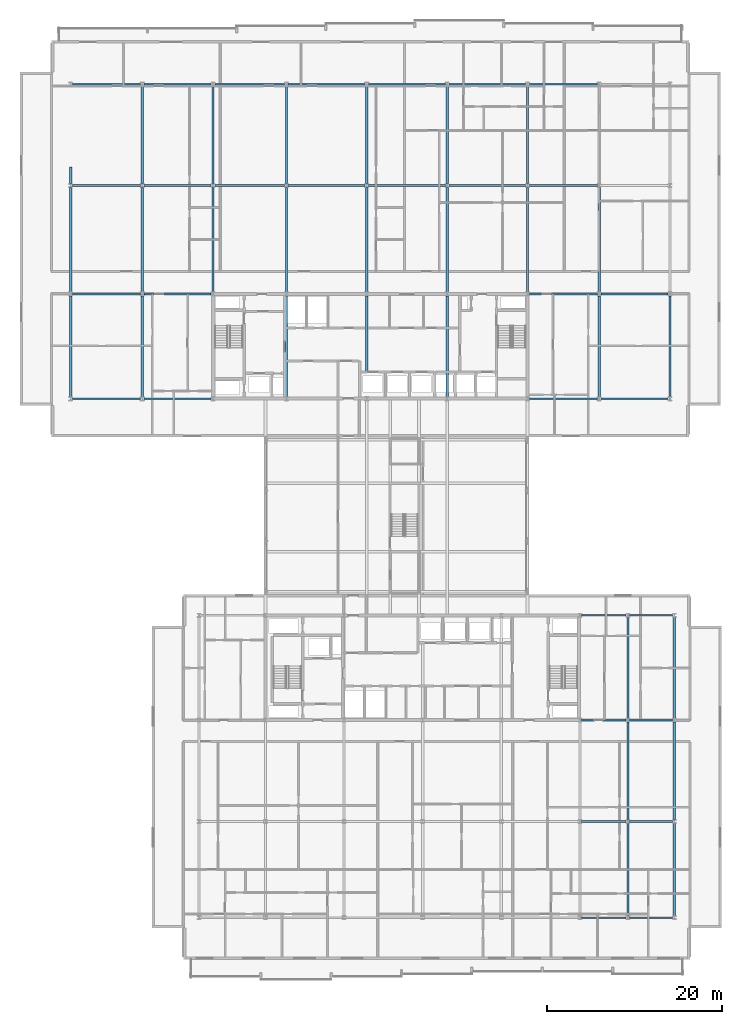
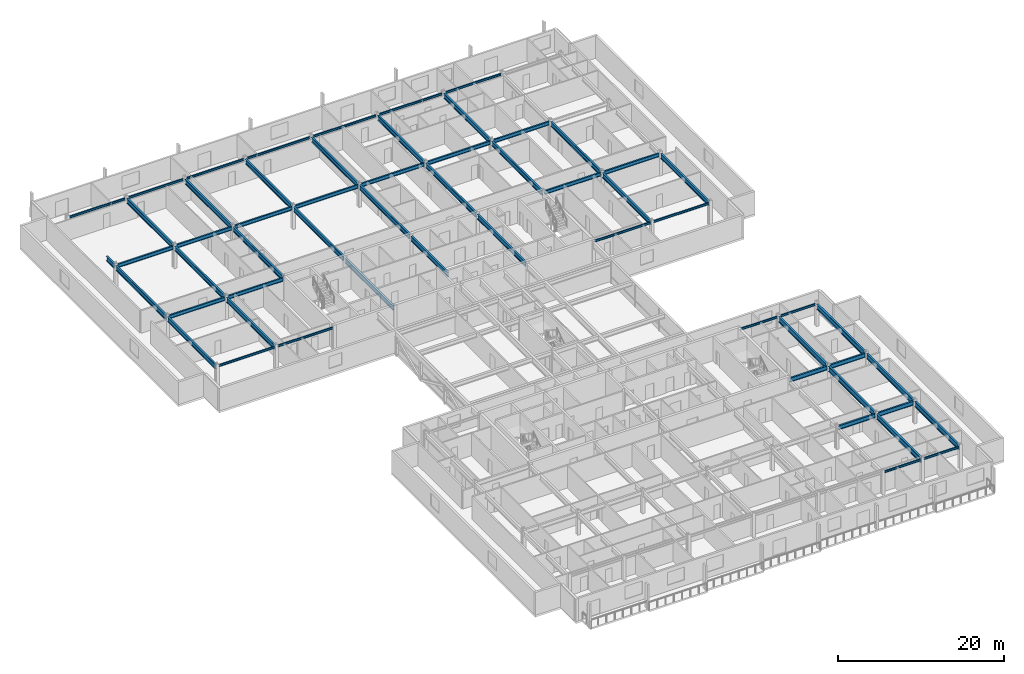
# One storey, part 13 of 36: 58 beams.
"""IFC4 building model written with IfcOpenShell, lengths in metres."""

import ifcopenshell
import ifcopenshell.guid

model = None  # the IFC model being written
_history = None  # IfcOwnerHistory: only IFC2X3 demands one
_inside = {}  # id of a spatial element -> (the spatial element, [elements in it])
_under = {}  # id of a project, library or spatial element -> (it, [spatial elements below it])
_declared = {}  # id of a project -> (the project, [libraries it declares])
_typed = {}  # id of a type object -> (the type object, [elements of that type])
_made_of = {}  # id of a material, layer set ... -> (it, [elements and type objects made of it])


def new_model(schema):
    """Start an empty IFC model of exactly this schema.

    Asked for "IFC4X3", IfcOpenShell would pick the latest addendum, in which some entities
    have other attributes; the version numbers below select the first issue.
    IFC2X3 requires an IfcOwnerHistory on every rooted entity: one is made here for all.
    """
    global model, _history
    if schema == "IFC4X3":
        model = ifcopenshell.file(schema_version=(4, 3, 0, 0))
    else:
        model = ifcopenshell.file(schema=schema)
    _inside.clear()
    _under.clear()
    _declared.clear()
    _typed.clear()
    _made_of.clear()
    _history = None
    if model.schema == "IFC2X3":
        org = make("IfcOrganization", Name="unknown")
        user = make(
            "IfcPersonAndOrganization",
            ThePerson=make("IfcPerson", FamilyName="unknown"),
            TheOrganization=org,
        )
        app = make(
            "IfcApplication",
            ApplicationDeveloper=org,
            Version="unknown",
            ApplicationFullName="unknown",
            ApplicationIdentifier="unknown",
        )
        _history = make(
            "IfcOwnerHistory",
            OwningUser=user,
            OwningApplication=app,
            ChangeAction="ADDED",
            CreationDate=0,
        )
    return model


def make(cls, **values):
    """One entity of the class cls with the attributes given. An attribute that is None is left unset."""
    return model.create_entity(
        cls, **{name: value for name, value in values.items() if value is not None}
    )


def rooted(cls, **values):
    """An entity with a GlobalId (a new one), such as an element, a storey or a relation."""
    return make(cls, GlobalId=ifcopenshell.guid.new(), OwnerHistory=_history, **values)


def si_unit(unit_type, name, prefix=None):
    """IfcSIUnit, for example si_unit("LENGTHUNIT", "METRE", prefix="MILLI")."""
    return make("IfcSIUnit", UnitType=unit_type, Prefix=prefix, Name=name)


def assignment(units):
    """IfcUnitAssignment: the units of a project."""
    return None if units is None else make("IfcUnitAssignment", Units=units)


def point(xyz):
    """IfcCartesianPoint."""
    return None if xyz is None else make("IfcCartesianPoint", Coordinates=xyz)


def direction(xyz):
    """IfcDirection."""
    return None if xyz is None else make("IfcDirection", DirectionRatios=xyz)


def frame(location, z_axis=None, x_axis=None):
    """IfcAxis2Placement3D, a coordinate frame: its origin and axes. An axis left out is left unset."""
    return make(
        "IfcAxis2Placement3D",
        Location=point(location),
        Axis=direction(z_axis),
        RefDirection=direction(x_axis),
    )


def frame_2d(location, x_axis=None):
    """IfcAxis2Placement2D, a coordinate frame in the plane: its origin and x axis."""
    return make(
        "IfcAxis2Placement2D", Location=point(location), RefDirection=direction(x_axis)
    )


def origin():
    """The frame at (0, 0, 0) with its axes left unset."""
    return frame((0.0, 0.0, 0.0))


def origin_2d():
    """The frame at (0, 0) in the plane with its x axis left unset."""
    return frame_2d((0.0, 0.0))


def place(relative_to, where):
    """IfcLocalPlacement: puts the frame where relative to a parent placement (None: the world)."""
    return make(
        "IfcLocalPlacement", PlacementRelTo=relative_to, RelativePlacement=where
    )


def context(
    kind, dimensions, precision=None, world=None, true_north=None, identifier=None
):
    """IfcGeometricRepresentationContext, for example the 3D "Model" context."""
    return make(
        "IfcGeometricRepresentationContext",
        ContextIdentifier=identifier,
        ContextType=kind,
        CoordinateSpaceDimension=dimensions,
        Precision=precision,
        WorldCoordinateSystem=world,
        TrueNorth=true_north,
    )


def subcontext(parent, identifier, kind, view, scale=None):
    """IfcGeometricRepresentationSubContext, for example "Body" below "Model"."""
    return make(
        "IfcGeometricRepresentationSubContext",
        ContextIdentifier=identifier,
        ContextType=kind,
        ParentContext=parent,
        TargetScale=scale,
        TargetView=view,
    )


def project(units=None, contexts=None):
    """IfcProject with its units and contexts."""
    return rooted(
        "IfcProject",
        Name="project",
        RepresentationContexts=contexts,
        UnitsInContext=assignment(units),
    )


def spatial(cls, under=None, at=None, **own):
    """A site, building, storey or space (cls), placed at a placement, below another one or the project."""
    s = rooted(cls, ObjectPlacement=at, **own)
    if under is not None:
        _under.setdefault(under.id(), (under, []))[1].append(s)
    return s


def profile(cls, at=None, kind="AREA", **sizes):
    """A parametric profile (cls). Its sizes go by their IFC names, for example OverallWidth=200.0."""
    return make(cls, ProfileType=kind, Position=at, **sizes)


def i_section(**sizes):
    """IfcIShapeProfileDef."""
    return profile("IfcIShapeProfileDef", **sizes)


def extrude(swept, where, along, depth):
    """IfcExtrudedAreaSolid: the profile swept, set in the frame where, extruded along a direction by depth."""
    return make(
        "IfcExtrudedAreaSolid",
        SweptArea=swept,
        Position=where,
        ExtrudedDirection=direction(along),
        Depth=depth,
    )


def shape(context_of_items, identifier, shape_type, items):
    """IfcShapeRepresentation: the items that make up one representation, for example the "Body"."""
    return make(
        "IfcShapeRepresentation",
        ContextOfItems=context_of_items,
        RepresentationIdentifier=identifier,
        RepresentationType=shape_type,
        Items=items,
    )


def material(Name=None, Category=None):
    """IfcMaterial."""
    return make("IfcMaterial", Name=Name, Category=Category)


def material_profile(
    of_material, cross_section, Name=None, Category=None, Priority=None
):
    """IfcMaterialProfile: a cross section and its material."""
    return make(
        "IfcMaterialProfile",
        Name=Name,
        Material=of_material,
        Profile=cross_section,
        Priority=Priority,
        Category=Category,
    )


def profile_set(profiles, Name=None, composite=None):
    """IfcMaterialProfileSet."""
    return make(
        "IfcMaterialProfileSet",
        Name=Name,
        MaterialProfiles=profiles,
        CompositeProfile=composite,
    )


def made_of(thing, what):
    """Note that an element or type object is made of a material, layer set ...; save() writes the relation."""
    if what is not None:
        _made_of.setdefault(what.id(), (what, []))[1].append(thing)
    return thing


def type_object(cls, material=None, **own):
    """A type object (cls), such as IfcWallType, which elements share."""
    return made_of(rooted(cls, **own), material)


def element(
    cls,
    number,
    at=None,
    inside=None,
    cuts=None,
    type_object=None,
    material=None,
    context=None,
    identifier="Body",
    shape_type=None,
    held_by="IfcProductDefinitionShape",
    body=None,
    shapes=None,
    **own,
):
    """One element of the class cls, such as IfcWall. Its Tag is "e" and its number.

    at: its placement. inside: the storey or other place that contains it. cuts: it is an
    opening in that element (IfcRelVoidsElement). A single representation is given by context,
    identifier, shape_type and body (its items); several are given by shapes. held_by: the class
    of the entity that holds the representations. save() writes the other relations.
    """
    e = rooted(cls, Tag="e%d" % number, ObjectPlacement=at, **own)
    if body is not None:
        shapes = [shape(context, identifier, shape_type, body)]
    if shapes is not None:
        e.Representation = make(held_by, Representations=shapes)
    if inside is not None:
        _inside.setdefault(inside.id(), (inside, []))[1].append(e)
    if cuts is not None:
        rooted(
            "IfcRelVoidsElement", RelatingBuildingElement=cuts, RelatedOpeningElement=e
        )
    if type_object is not None:
        _typed.setdefault(type_object.id(), (type_object, []))[1].append(e)
    return made_of(e, material)


def aggregate(whole, parts):
    """IfcRelAggregates: a whole, such as a stair, and the parts it consists of."""
    return rooted("IfcRelAggregates", RelatingObject=whole, RelatedObjects=parts)


def save(model, path):
    """Write the relations noted so far, then the file.

    IfcRelAggregates (storeys below a building ...), IfcRelContainedInSpatialStructure (elements
    in a storey), IfcRelDefinesByType, IfcRelAssociatesMaterial and IfcRelDeclares: one each for
    every whole, place, type object, material and project.
    """
    for whole, parts in _under.values():
        aggregate(whole, parts)
    for where, things in _inside.values():
        rooted(
            "IfcRelContainedInSpatialStructure",
            RelatedElements=things,
            RelatingStructure=where,
        )
    for kind, things in _typed.values():
        rooted("IfcRelDefinesByType", RelatedObjects=things, RelatingType=kind)
    for what, things in _made_of.values():
        rooted("IfcRelAssociatesMaterial", RelatedObjects=things, RelatingMaterial=what)
    for by, libraries in _declared.values():
        rooted("IfcRelDeclares", RelatingContext=by, RelatedDefinitions=libraries)
    model.write(path)


model = new_model("IFC4")

# Units and contexts
model_context = context("Model", 3, precision=1e-05, world=origin(), true_north=direction((0.0, 1.0)))
body_context = subcontext(model_context, "Body", "Model", "MODEL_VIEW")
ifc_project = project(units=[si_unit("LENGTHUNIT", "METRE"), si_unit("AREAUNIT", "SQUARE_METRE"), si_unit("VOLUMEUNIT", "CUBIC_METRE"), si_unit("PLANEANGLEUNIT", "RADIAN"), si_unit("MASSUNIT", "GRAM", prefix="KILO")], contexts=[model_context])

# Site, building, storey
site_placement = place(None, origin())
site = spatial("IfcSite", under=ifc_project, at=site_placement, CompositionType="ELEMENT")
building_placement = place(site_placement, origin())
building = spatial("IfcBuilding", under=site, at=building_placement, Name="Korimba Cascade Residences", CompositionType="ELEMENT")
storey_placement = place(building_placement, frame((0.0, 0.0, 146.5)))
storey = spatial("IfcBuildingStorey", under=building, at=storey_placement, Name="L42", CompositionType="ELEMENT", Elevation=146.5)

# Beams
ifc_material = material(Name="Steel S355", Category="steel")
ifc_material_profile_1 = material_profile(ifc_material, i_section(OverallWidth=0.165771484375, OverallDepth=0.306640625, WebThickness=0.006591796875, FlangeThickness=0.01171875, FilletRadius=0.0087890625, at=origin_2d()), Name="Steel S355")
ifc_profile_set_1 = profile_set([ifc_material_profile_1], Name="Steel S355")
beam_type_1 = type_object("IfcBeamType", Name="BM-STL-UB305", PredefinedType="SPANDREL", material=ifc_profile_set_1)
beam_1_placement = place(storey_placement, frame((60.006103515625, 55.199951171875, 3.15673828125), z_axis=(1.0, 0.0, 0.0), x_axis=(0.0, 1.0, 0.0)))
element("IfcBeam", 1, at=beam_1_placement, inside=storey, type_object=beam_type_1, Name="L42 T1 E-W Girder Y1 Bay 1", PredefinedType="SPANDREL", context=body_context, shape_type="SweptSolid", body=[
    extrude(i_section(OverallWidth=0.165771484375, OverallDepth=0.306640625, WebThickness=0.006591796875, FlangeThickness=0.01171875, FilletRadius=0.0087890625, at=origin_2d()), origin(), (0.0, 0.0, 1.0), 7.787841796875),
])
beam_2_placement = place(storey_placement, frame((68.2060546875, 55.199951171875, 3.15673828125), z_axis=(1.0, 0.0, 0.0), x_axis=(0.0, 1.0, 0.0)))
element("IfcBeam", 2, at=beam_2_placement, inside=storey, type_object=beam_type_1, Name="L42 T1 E-W Girder Y1 Bay 2", PredefinedType="SPANDREL", context=body_context, shape_type="SweptSolid", body=[
    extrude(i_section(OverallWidth=0.165771484375, OverallDepth=0.306640625, WebThickness=0.006591796875, FlangeThickness=0.01171875, FilletRadius=0.0087890625, at=origin_2d()), origin(), (0.0, 0.0, 1.0), 7.687744140625),
])
beam_3_placement = place(storey_placement, frame((112.30615234375, 55.199951171875, 3.15673828125), z_axis=(1.0, 0.0, 0.0), x_axis=(0.0, 1.0, 0.0)))
element("IfcBeam", 3, at=beam_3_placement, inside=storey, type_object=beam_type_1, Name="L42 T1 E-W Girder Y1 Bay 7", PredefinedType="SPANDREL", context=body_context, shape_type="SweptSolid", body=[
    extrude(i_section(OverallWidth=0.165771484375, OverallDepth=0.306640625, WebThickness=0.006591796875, FlangeThickness=0.01171875, FilletRadius=0.0087890625, at=origin_2d()), origin(), (0.0, 0.0, 1.0), 7.787841796875),
])
beam_4_placement = place(storey_placement, frame((120.506103515625, 55.199951171875, 3.15673828125), z_axis=(1.0, 0.0, 0.0), x_axis=(0.0, 1.0, 0.0)))
element("IfcBeam", 4, at=beam_4_placement, inside=storey, type_object=beam_type_1, Name="L42 T1 E-W Girder Y1 Bay 8", PredefinedType="SPANDREL", context=body_context, shape_type="SweptSolid", body=[
    extrude(i_section(OverallWidth=0.165771484375, OverallDepth=0.306640625, WebThickness=0.006591796875, FlangeThickness=0.01171875, FilletRadius=0.0087890625, at=origin_2d()), origin(), (0.0, 0.0, 1.0), 7.687744140625),
])
beam_5_placement = place(storey_placement, frame((60.006103515625, 91.199951171875, 3.15673828125), z_axis=(1.0, 0.0, 0.0), x_axis=(0.0, 1.0, 0.0)))
element("IfcBeam", 5, at=beam_5_placement, inside=storey, type_object=beam_type_1, Name="L42 T1 E-W Girder Y4 Bay 1", PredefinedType="SPANDREL", context=body_context, shape_type="SweptSolid", body=[
    extrude(i_section(OverallWidth=0.165771484375, OverallDepth=0.306640625, WebThickness=0.006591796875, FlangeThickness=0.01171875, FilletRadius=0.0087890625, at=origin_2d()), origin(), (0.0, 0.0, 1.0), 7.787841796875),
])
beam_6_placement = place(storey_placement, frame((68.2060546875, 91.199951171875, 3.15673828125), z_axis=(1.0, 0.0, 0.0), x_axis=(0.0, 1.0, 0.0)))
element("IfcBeam", 6, at=beam_6_placement, inside=storey, type_object=beam_type_1, Name="L42 T1 E-W Girder Y4 Bay 2", PredefinedType="SPANDREL", context=body_context, shape_type="SweptSolid", body=[
    extrude(i_section(OverallWidth=0.165771484375, OverallDepth=0.306640625, WebThickness=0.006591796875, FlangeThickness=0.01171875, FilletRadius=0.0087890625, at=origin_2d()), origin(), (0.0, 0.0, 1.0), 7.687744140625),
])
beam_7_placement = place(storey_placement, frame((76.30615234375, 91.199951171875, 3.15673828125), z_axis=(1.0, 0.0, 0.0), x_axis=(0.0, 1.0, 0.0)))
element("IfcBeam", 7, at=beam_7_placement, inside=storey, type_object=beam_type_1, Name="L42 T1 E-W Girder Y4 Bay 3", PredefinedType="SPANDREL", context=body_context, shape_type="SweptSolid", body=[
    extrude(i_section(OverallWidth=0.165771484375, OverallDepth=0.306640625, WebThickness=0.006591796875, FlangeThickness=0.01171875, FilletRadius=0.0087890625, at=origin_2d()), origin(), (0.0, 0.0, 1.0), 7.98779296875),
])
for number, where, z_axis, x_axis, name in (
    (8, (84.7060546875, 91.199951171875, 3.15673828125), (1.0, 0.0, 0.0), (0.0, 1.0, 0.0), "L42 T1 E-W Girder Y4 Bay 4"),
    (9, (93.906005859375, 91.199951171875, 3.15673828125), (1.0, 0.0, 0.0), (0.0, 1.0, 0.0), "L42 T1 E-W Girder Y4 Bay 5"),
):
    element("IfcBeam", number, at=place(storey_placement, frame(where, z_axis=z_axis, x_axis=x_axis)), inside=storey, type_object=beam_type_1, Name=name, PredefinedType="SPANDREL", context=body_context, shape_type="SweptSolid", body=[
        extrude(i_section(OverallWidth=0.165771484375, OverallDepth=0.306640625, WebThickness=0.006591796875, FlangeThickness=0.01171875, FilletRadius=0.0087890625, at=origin_2d()), origin(), (0.0, 0.0, 1.0), 8.787841796875),
    ])
beam_8_placement = place(storey_placement, frame((103.106201171875, 91.199951171875, 3.15673828125), z_axis=(1.0, 0.0, 0.0), x_axis=(0.0, 1.0, 0.0)))
element("IfcBeam", 10, at=beam_8_placement, inside=storey, type_object=beam_type_1, Name="L42 T1 E-W Girder Y4 Bay 6", PredefinedType="SPANDREL", context=body_context, shape_type="SweptSolid", body=[
    extrude(i_section(OverallWidth=0.165771484375, OverallDepth=0.306640625, WebThickness=0.006591796875, FlangeThickness=0.01171875, FilletRadius=0.0087890625, at=origin_2d()), origin(), (0.0, 0.0, 1.0), 8.78759765625),
])
beam_9_placement = place(storey_placement, frame((112.30615234375, 91.199951171875, 3.15673828125), z_axis=(1.0, 0.0, 0.0), x_axis=(0.0, 1.0, 0.0)))
element("IfcBeam", 11, at=beam_9_placement, inside=storey, type_object=beam_type_1, Name="L42 T1 E-W Girder Y4 Bay 7", PredefinedType="SPANDREL", context=body_context, shape_type="SweptSolid", body=[
    extrude(i_section(OverallWidth=0.165771484375, OverallDepth=0.306640625, WebThickness=0.006591796875, FlangeThickness=0.01171875, FilletRadius=0.0087890625, at=origin_2d()), origin(), (0.0, 0.0, 1.0), 7.787841796875),
])
beam_10_placement = place(storey_placement, frame((118.301513671875, -4.199951171875, 3.15673828125), z_axis=(1.0, 0.0, 0.0), x_axis=(0.0, 1.0, 0.0)))
element("IfcBeam", 12, at=beam_10_placement, inside=storey, type_object=beam_type_1, Name="L42 T2 E-W Girder Y1 Bay 6", PredefinedType="SPANDREL", context=body_context, shape_type="SweptSolid", body=[
    extrude(i_section(OverallWidth=0.165771484375, OverallDepth=0.306640625, WebThickness=0.006591796875, FlangeThickness=0.01171875, FilletRadius=0.0087890625, at=origin_2d()), origin(), (0.0, 0.0, 1.0), 5.096923828125),
])
beam_11_placement = place(storey_placement, frame((123.801513671875, -4.199951171875, 3.15673828125), z_axis=(1.0, 0.0, 0.0), x_axis=(0.0, 1.0, 0.0)))
element("IfcBeam", 13, at=beam_11_placement, inside=storey, type_object=beam_type_1, Name="L42 T2 E-W Girder Y1 Bay 7", PredefinedType="SPANDREL", context=body_context, shape_type="SweptSolid", body=[
    extrude(i_section(OverallWidth=0.165771484375, OverallDepth=0.306640625, WebThickness=0.006591796875, FlangeThickness=0.01171875, FilletRadius=0.0087890625, at=origin_2d()), origin(), (0.0, 0.0, 1.0), 4.89697265625),
])
beam_12_placement = place(storey_placement, frame((118.301513671875, 30.39990234375, 3.15673828125), z_axis=(1.0, 0.0, 0.0), x_axis=(0.0, 1.0, 0.0)))
element("IfcBeam", 14, at=beam_12_placement, inside=storey, type_object=beam_type_1, Name="L42 T2 E-W Girder Y4 Bay 6", PredefinedType="SPANDREL", context=body_context, shape_type="SweptSolid", body=[
    extrude(i_section(OverallWidth=0.165771484375, OverallDepth=0.306640625, WebThickness=0.006591796875, FlangeThickness=0.01171875, FilletRadius=0.0087890625, at=origin_2d()), origin(), (0.0, 0.0, 1.0), 5.096923828125),
])
beam_13_placement = place(storey_placement, frame((123.801513671875, 30.39990234375, 3.15673828125), z_axis=(1.0, 0.0, 0.0), x_axis=(0.0, 1.0, 0.0)))
element("IfcBeam", 15, at=beam_13_placement, inside=storey, type_object=beam_type_1, Name="L42 T2 E-W Girder Y4 Bay 7", PredefinedType="SPANDREL", context=body_context, shape_type="SweptSolid", body=[
    extrude(i_section(OverallWidth=0.165771484375, OverallDepth=0.306640625, WebThickness=0.006591796875, FlangeThickness=0.01171875, FilletRadius=0.0087890625, at=origin_2d()), origin(), (0.0, 0.0, 1.0), 4.89697265625),
])
ifc_material_profile_2 = material_profile(ifc_material, i_section(OverallWidth=0.2099609375, OverallDepth=0.53662109375, WebThickness=0.0107421875, FlangeThickness=0.017333984375, FilletRadius=0.0126953125, at=origin_2d()), Name="Steel S355")
ifc_profile_set_2 = profile_set([ifc_material_profile_2], Name="Steel S355")
beam_type_2 = type_object("IfcBeamType", Name="BM-STL-UB533", PredefinedType="BEAM", material=ifc_profile_set_2)
beam_14_placement = place(storey_placement, frame((60.006103515625, 67.199951171875, 3.041748046875), z_axis=(1.0, 0.0, 0.0), x_axis=(0.0, 1.0, 0.0)))
element("IfcBeam", 16, at=beam_14_placement, inside=storey, type_object=beam_type_2, Name="L42 T1 E-W Girder Y2 Bay 1", PredefinedType="BEAM", context=body_context, shape_type="SweptSolid", body=[
    extrude(i_section(OverallWidth=0.2099609375, OverallDepth=0.53662109375, WebThickness=0.0107421875, FlangeThickness=0.017333984375, FilletRadius=0.0126953125, at=origin_2d()), origin(), (0.0, 0.0, 1.0), 7.787841796875),
])
beam_15_placement = place(storey_placement, frame((68.2060546875, 67.199951171875, 3.041748046875), z_axis=(1.0, 0.0, 0.0), x_axis=(0.0, 1.0, 0.0)))
element("IfcBeam", 17, at=beam_15_placement, inside=storey, type_object=beam_type_2, Name="L42 T1 E-W Girder Y2 Bay 2", PredefinedType="BEAM", context=body_context, shape_type="SweptSolid", body=[
    extrude(i_section(OverallWidth=0.2099609375, OverallDepth=0.53662109375, WebThickness=0.0107421875, FlangeThickness=0.017333984375, FilletRadius=0.0126953125, at=origin_2d()), origin(), (0.0, 0.0, 1.0), 7.687744140625),
])
beam_16_placement = place(storey_placement, frame((112.30615234375, 67.199951171875, 3.041748046875), z_axis=(1.0, 0.0, 0.0), x_axis=(0.0, 1.0, 0.0)))
element("IfcBeam", 18, at=beam_16_placement, inside=storey, type_object=beam_type_2, Name="L42 T1 E-W Girder Y2 Bay 7", PredefinedType="BEAM", context=body_context, shape_type="SweptSolid", body=[
    extrude(i_section(OverallWidth=0.2099609375, OverallDepth=0.53662109375, WebThickness=0.0107421875, FlangeThickness=0.017333984375, FilletRadius=0.0126953125, at=origin_2d()), origin(), (0.0, 0.0, 1.0), 7.787841796875),
])
beam_17_placement = place(storey_placement, frame((120.506103515625, 67.199951171875, 3.041748046875), z_axis=(1.0, 0.0, 0.0), x_axis=(0.0, 1.0, 0.0)))
element("IfcBeam", 19, at=beam_17_placement, inside=storey, type_object=beam_type_2, Name="L42 T1 E-W Girder Y2 Bay 8", PredefinedType="BEAM", context=body_context, shape_type="SweptSolid", body=[
    extrude(i_section(OverallWidth=0.2099609375, OverallDepth=0.53662109375, WebThickness=0.0107421875, FlangeThickness=0.017333984375, FilletRadius=0.0126953125, at=origin_2d()), origin(), (0.0, 0.0, 1.0), 7.687744140625),
])
beam_18_placement = place(storey_placement, frame((60.006103515625, 79.60009765625, 3.041748046875), z_axis=(1.0, 0.0, 0.0), x_axis=(0.0, 1.0, 0.0)))
element("IfcBeam", 20, at=beam_18_placement, inside=storey, type_object=beam_type_2, Name="L42 T1 E-W Girder Y3 Bay 1", PredefinedType="BEAM", context=body_context, shape_type="SweptSolid", body=[
    extrude(i_section(OverallWidth=0.2099609375, OverallDepth=0.53662109375, WebThickness=0.0107421875, FlangeThickness=0.017333984375, FilletRadius=0.0126953125, at=origin_2d()), origin(), (0.0, 0.0, 1.0), 7.787841796875),
])
beam_19_placement = place(storey_placement, frame((68.2060546875, 79.60009765625, 3.041748046875), z_axis=(1.0, 0.0, 0.0), x_axis=(0.0, 1.0, 0.0)))
element("IfcBeam", 21, at=beam_19_placement, inside=storey, type_object=beam_type_2, Name="L42 T1 E-W Girder Y3 Bay 2", PredefinedType="BEAM", context=body_context, shape_type="SweptSolid", body=[
    extrude(i_section(OverallWidth=0.2099609375, OverallDepth=0.53662109375, WebThickness=0.0107421875, FlangeThickness=0.017333984375, FilletRadius=0.0126953125, at=origin_2d()), origin(), (0.0, 0.0, 1.0), 7.687744140625),
])
beam_20_placement = place(storey_placement, frame((76.30615234375, 79.60009765625, 3.041748046875), z_axis=(1.0, 0.0, 0.0), x_axis=(0.0, 1.0, 0.0)))
element("IfcBeam", 22, at=beam_20_placement, inside=storey, type_object=beam_type_2, Name="L42 T1 E-W Girder Y3 Bay 3", PredefinedType="BEAM", context=body_context, shape_type="SweptSolid", body=[
    extrude(i_section(OverallWidth=0.2099609375, OverallDepth=0.53662109375, WebThickness=0.0107421875, FlangeThickness=0.017333984375, FilletRadius=0.0126953125, at=origin_2d()), origin(), (0.0, 0.0, 1.0), 7.98779296875),
])
for number, where, z_axis, x_axis, name in (
    (23, (84.7060546875, 79.60009765625, 3.041748046875), (1.0, 0.0, 0.0), (0.0, 1.0, 0.0), "L42 T1 E-W Girder Y3 Bay 4"),
    (24, (93.906005859375, 79.60009765625, 3.041748046875), (1.0, 0.0, 0.0), (0.0, 1.0, 0.0), "L42 T1 E-W Girder Y3 Bay 5"),
):
    element("IfcBeam", number, at=place(storey_placement, frame(where, z_axis=z_axis, x_axis=x_axis)), inside=storey, type_object=beam_type_2, Name=name, PredefinedType="BEAM", context=body_context, shape_type="SweptSolid", body=[
        extrude(i_section(OverallWidth=0.2099609375, OverallDepth=0.53662109375, WebThickness=0.0107421875, FlangeThickness=0.017333984375, FilletRadius=0.0126953125, at=origin_2d()), origin(), (0.0, 0.0, 1.0), 8.787841796875),
    ])
beam_21_placement = place(storey_placement, frame((103.106201171875, 79.60009765625, 3.041748046875), z_axis=(1.0, 0.0, 0.0), x_axis=(0.0, 1.0, 0.0)))
element("IfcBeam", 25, at=beam_21_placement, inside=storey, type_object=beam_type_2, Name="L42 T1 E-W Girder Y3 Bay 6", PredefinedType="BEAM", context=body_context, shape_type="SweptSolid", body=[
    extrude(i_section(OverallWidth=0.2099609375, OverallDepth=0.53662109375, WebThickness=0.0107421875, FlangeThickness=0.017333984375, FilletRadius=0.0126953125, at=origin_2d()), origin(), (0.0, 0.0, 1.0), 8.78759765625),
])
beam_22_placement = place(storey_placement, frame((112.30615234375, 79.60009765625, 3.041748046875), z_axis=(1.0, 0.0, 0.0), x_axis=(0.0, 1.0, 0.0)))
element("IfcBeam", 26, at=beam_22_placement, inside=storey, type_object=beam_type_2, Name="L42 T1 E-W Girder Y3 Bay 7", PredefinedType="BEAM", context=body_context, shape_type="SweptSolid", body=[
    extrude(i_section(OverallWidth=0.2099609375, OverallDepth=0.53662109375, WebThickness=0.0107421875, FlangeThickness=0.017333984375, FilletRadius=0.0126953125, at=origin_2d()), origin(), (0.0, 0.0, 1.0), 7.787841796875),
])
ifc_material_profile_3 = material_profile(ifc_material, i_section(OverallWidth=0.22900390625, OverallDepth=0.6123046875, WebThickness=0.011962890625, FlangeThickness=0.01953125, FilletRadius=0.0126953125, at=origin_2d()), Name="Steel S355")
ifc_profile_set_3 = profile_set([ifc_material_profile_3], Name="Steel S355")
beam_type_3 = type_object("IfcBeamType", Name="BM-STL-UB610B", PredefinedType="BEAM", material=ifc_profile_set_3)
beam_23_placement = place(storey_placement, frame((118.301513671875, 6.800048828125, 3.00390625), z_axis=(1.0, 0.0, 0.0), x_axis=(0.0, 1.0, 0.0)))
element("IfcBeam", 27, at=beam_23_placement, inside=storey, type_object=beam_type_3, Name="L42 T2 E-W Girder Y2 Bay 6", PredefinedType="BEAM", context=body_context, shape_type="SweptSolid", body=[
    extrude(i_section(OverallWidth=0.22900390625, OverallDepth=0.6123046875, WebThickness=0.011962890625, FlangeThickness=0.01953125, FilletRadius=0.0126953125, at=origin_2d()), origin(), (0.0, 0.0, 1.0), 5.096923828125),
])
beam_24_placement = place(storey_placement, frame((123.801513671875, 6.800048828125, 3.00390625), z_axis=(1.0, 0.0, 0.0), x_axis=(0.0, 1.0, 0.0)))
element("IfcBeam", 28, at=beam_24_placement, inside=storey, type_object=beam_type_3, Name="L42 T2 E-W Girder Y2 Bay 7", PredefinedType="BEAM", context=body_context, shape_type="SweptSolid", body=[
    extrude(i_section(OverallWidth=0.22900390625, OverallDepth=0.6123046875, WebThickness=0.011962890625, FlangeThickness=0.01953125, FilletRadius=0.0126953125, at=origin_2d()), origin(), (0.0, 0.0, 1.0), 4.89697265625),
])
beam_25_placement = place(storey_placement, frame((118.301513671875, 18.39990234375, 3.00390625), z_axis=(1.0, 0.0, 0.0), x_axis=(0.0, 1.0, 0.0)))
element("IfcBeam", 29, at=beam_25_placement, inside=storey, type_object=beam_type_3, Name="L42 T2 E-W Girder Y3 Bay 6", PredefinedType="BEAM", context=body_context, shape_type="SweptSolid", body=[
    extrude(i_section(OverallWidth=0.22900390625, OverallDepth=0.6123046875, WebThickness=0.011962890625, FlangeThickness=0.01953125, FilletRadius=0.0126953125, at=origin_2d()), origin(), (0.0, 0.0, 1.0), 5.096923828125),
])
beam_26_placement = place(storey_placement, frame((123.801513671875, 18.39990234375, 3.00390625), z_axis=(1.0, 0.0, 0.0), x_axis=(0.0, 1.0, 0.0)))
element("IfcBeam", 30, at=beam_26_placement, inside=storey, type_object=beam_type_3, Name="L42 T2 E-W Girder Y3 Bay 7", PredefinedType="BEAM", context=body_context, shape_type="SweptSolid", body=[
    extrude(i_section(OverallWidth=0.22900390625, OverallDepth=0.6123046875, WebThickness=0.011962890625, FlangeThickness=0.01953125, FilletRadius=0.0126953125, at=origin_2d()), origin(), (0.0, 0.0, 1.0), 4.89697265625),
])
ifc_material_profile_4 = material_profile(ifc_material, i_section(OverallWidth=0.255859375, OverallDepth=0.69287109375, WebThickness=0.014404296875, FlangeThickness=0.023681640625, FilletRadius=0.01513671875, at=origin_2d()), Name="Steel S355")
ifc_profile_set_4 = profile_set([ifc_material_profile_4], Name="Steel S355")
beam_type_4 = type_object("IfcBeamType", Name="BM-STL-UB686", PredefinedType="BEAM", material=ifc_profile_set_4)
beam_27_placement = place(storey_placement, frame((59.800048828125, 55.418212890625, 2.96337890625), z_axis=(0.0, 1.0, 0.0), x_axis=(-1.0, 0.0, 0.0)))
element("IfcBeam", 31, at=beam_27_placement, inside=storey, type_object=beam_type_4, Name="L42 T1 N-S Girder X1 Seg 1", PredefinedType="BEAM", context=body_context, shape_type="SweptSolid", body=[
    extrude(i_section(OverallWidth=0.255859375, OverallDepth=0.69287109375, WebThickness=0.014404296875, FlangeThickness=0.023681640625, FilletRadius=0.01513671875, at=origin_2d()), origin(), (0.0, 0.0, 1.0), 11.5634765625),
])
beam_28_placement = place(storey_placement, frame((59.800048828125, 67.418212890625, 2.96337890625), z_axis=(0.0, 1.0, 0.0), x_axis=(-1.0, 0.0, 0.0)))
element("IfcBeam", 32, at=beam_28_placement, inside=storey, type_object=beam_type_4, Name="L42 T1 N-S Girder X1 Seg 2", PredefinedType="BEAM", context=body_context, shape_type="SweptSolid", body=[
    extrude(i_section(OverallWidth=0.255859375, OverallDepth=0.69287109375, WebThickness=0.014404296875, FlangeThickness=0.023681640625, FilletRadius=0.01513671875, at=origin_2d()), origin(), (0.0, 0.0, 1.0), 11.96337890625),
])
beam_29_placement = place(storey_placement, frame((59.800048828125, 79.818359375, 2.96337890625), z_axis=(0.0, 1.0, 0.0), x_axis=(-1.0, 0.0, 0.0)))
element("IfcBeam", 33, at=beam_29_placement, inside=storey, type_object=beam_type_4, Name="L42 T1 N-S Girder X1 Seg 3", PredefinedType="BEAM", context=body_context, shape_type="SweptSolid", body=[
    extrude(i_section(OverallWidth=0.255859375, OverallDepth=0.69287109375, WebThickness=0.014404296875, FlangeThickness=0.023681640625, FilletRadius=0.01513671875, at=origin_2d()), origin(), (0.0, 0.0, 1.0), 1.881591796875),
])
beam_30_placement = place(storey_placement, frame((68.0, 55.418212890625, 2.96337890625), z_axis=(0.0, 1.0, 0.0), x_axis=(-1.0, 0.0, 0.0)))
element("IfcBeam", 34, at=beam_30_placement, inside=storey, type_object=beam_type_4, Name="L42 T1 N-S Girder X2 Seg 1", PredefinedType="BEAM", context=body_context, shape_type="SweptSolid", body=[
    extrude(i_section(OverallWidth=0.255859375, OverallDepth=0.69287109375, WebThickness=0.014404296875, FlangeThickness=0.023681640625, FilletRadius=0.01513671875, at=origin_2d()), origin(), (0.0, 0.0, 1.0), 11.5634765625),
])
beam_31_placement = place(storey_placement, frame((68.0, 67.418212890625, 2.96337890625), z_axis=(0.0, 1.0, 0.0), x_axis=(-1.0, 0.0, 0.0)))
element("IfcBeam", 35, at=beam_31_placement, inside=storey, type_object=beam_type_4, Name="L42 T1 N-S Girder X2 Seg 2", PredefinedType="BEAM", context=body_context, shape_type="SweptSolid", body=[
    extrude(i_section(OverallWidth=0.255859375, OverallDepth=0.69287109375, WebThickness=0.014404296875, FlangeThickness=0.023681640625, FilletRadius=0.01513671875, at=origin_2d()), origin(), (0.0, 0.0, 1.0), 11.96337890625),
])
beam_32_placement = place(storey_placement, frame((68.0, 79.818359375, 2.96337890625), z_axis=(0.0, 1.0, 0.0), x_axis=(-1.0, 0.0, 0.0)))
element("IfcBeam", 36, at=beam_32_placement, inside=storey, type_object=beam_type_4, Name="L42 T1 N-S Girder X2 Seg 3", PredefinedType="BEAM", context=body_context, shape_type="SweptSolid", body=[
    extrude(i_section(OverallWidth=0.255859375, OverallDepth=0.69287109375, WebThickness=0.014404296875, FlangeThickness=0.023681640625, FilletRadius=0.01513671875, at=origin_2d()), origin(), (0.0, 0.0, 1.0), 11.163330078125),
])
beam_33_placement = place(storey_placement, frame((76.10009765625, 67.418212890625, 2.96337890625), z_axis=(0.0, 1.0, 0.0), x_axis=(-1.0, 0.0, 0.0)))
element("IfcBeam", 37, at=beam_33_placement, inside=storey, type_object=beam_type_4, Name="L42 T1 N-S Girder X3 Seg 2", PredefinedType="BEAM", context=body_context, shape_type="SweptSolid", body=[
    extrude(i_section(OverallWidth=0.255859375, OverallDepth=0.69287109375, WebThickness=0.014404296875, FlangeThickness=0.023681640625, FilletRadius=0.01513671875, at=origin_2d()), origin(), (0.0, 0.0, 1.0), 11.96337890625),
])
beam_34_placement = place(storey_placement, frame((76.10009765625, 79.818359375, 2.96337890625), z_axis=(0.0, 1.0, 0.0), x_axis=(-1.0, 0.0, 0.0)))
element("IfcBeam", 38, at=beam_34_placement, inside=storey, type_object=beam_type_4, Name="L42 T1 N-S Girder X3 Seg 3", PredefinedType="BEAM", context=body_context, shape_type="SweptSolid", body=[
    extrude(i_section(OverallWidth=0.255859375, OverallDepth=0.69287109375, WebThickness=0.014404296875, FlangeThickness=0.023681640625, FilletRadius=0.01513671875, at=origin_2d()), origin(), (0.0, 0.0, 1.0), 11.163330078125),
])
beam_35_placement = place(storey_placement, frame((84.5, 55.418212890625, 2.96337890625), z_axis=(0.0, 1.0, 0.0), x_axis=(-1.0, 0.0, 0.0)))
element("IfcBeam", 39, at=beam_35_placement, inside=storey, type_object=beam_type_4, Name="L42 T1 N-S Girder X4 Seg 1", PredefinedType="BEAM", context=body_context, shape_type="SweptSolid", body=[
    extrude(i_section(OverallWidth=0.255859375, OverallDepth=0.69287109375, WebThickness=0.014404296875, FlangeThickness=0.023681640625, FilletRadius=0.01513671875, at=origin_2d()), origin(), (0.0, 0.0, 1.0), 11.5634765625),
])
beam_36_placement = place(storey_placement, frame((84.5, 67.418212890625, 2.96337890625), z_axis=(0.0, 1.0, 0.0), x_axis=(-1.0, 0.0, 0.0)))
element("IfcBeam", 40, at=beam_36_placement, inside=storey, type_object=beam_type_4, Name="L42 T1 N-S Girder X4 Seg 2", PredefinedType="BEAM", context=body_context, shape_type="SweptSolid", body=[
    extrude(i_section(OverallWidth=0.255859375, OverallDepth=0.69287109375, WebThickness=0.014404296875, FlangeThickness=0.023681640625, FilletRadius=0.01513671875, at=origin_2d()), origin(), (0.0, 0.0, 1.0), 11.96337890625),
])
beam_37_placement = place(storey_placement, frame((84.5, 79.818359375, 2.96337890625), z_axis=(0.0, 1.0, 0.0), x_axis=(-1.0, 0.0, 0.0)))
element("IfcBeam", 41, at=beam_37_placement, inside=storey, type_object=beam_type_4, Name="L42 T1 N-S Girder X4 Seg 3", PredefinedType="BEAM", context=body_context, shape_type="SweptSolid", body=[
    extrude(i_section(OverallWidth=0.255859375, OverallDepth=0.69287109375, WebThickness=0.014404296875, FlangeThickness=0.023681640625, FilletRadius=0.01513671875, at=origin_2d()), origin(), (0.0, 0.0, 1.0), 11.163330078125),
])
beam_38_placement = place(storey_placement, frame((93.699951171875, 58.159912109375, 2.96337890625), z_axis=(0.0, 1.0, 0.0), x_axis=(-1.0, 0.0, 0.0)))
element("IfcBeam", 42, at=beam_38_placement, inside=storey, type_object=beam_type_4, Name="L42 T1 N-S Girder X5 Seg 1", PredefinedType="BEAM", context=body_context, shape_type="SweptSolid", body=[
    extrude(i_section(OverallWidth=0.255859375, OverallDepth=0.69287109375, WebThickness=0.014404296875, FlangeThickness=0.023681640625, FilletRadius=0.01513671875, at=origin_2d()), origin(), (0.0, 0.0, 1.0), 8.82177734375),
])
beam_39_placement = place(storey_placement, frame((93.699951171875, 67.418212890625, 2.96337890625), z_axis=(0.0, 1.0, 0.0), x_axis=(-1.0, 0.0, 0.0)))
element("IfcBeam", 43, at=beam_39_placement, inside=storey, type_object=beam_type_4, Name="L42 T1 N-S Girder X5 Seg 2", PredefinedType="BEAM", context=body_context, shape_type="SweptSolid", body=[
    extrude(i_section(OverallWidth=0.255859375, OverallDepth=0.69287109375, WebThickness=0.014404296875, FlangeThickness=0.023681640625, FilletRadius=0.01513671875, at=origin_2d()), origin(), (0.0, 0.0, 1.0), 11.96337890625),
])
beam_40_placement = place(storey_placement, frame((93.699951171875, 79.818359375, 2.96337890625), z_axis=(0.0, 1.0, 0.0), x_axis=(-1.0, 0.0, 0.0)))
element("IfcBeam", 44, at=beam_40_placement, inside=storey, type_object=beam_type_4, Name="L42 T1 N-S Girder X5 Seg 3", PredefinedType="BEAM", context=body_context, shape_type="SweptSolid", body=[
    extrude(i_section(OverallWidth=0.255859375, OverallDepth=0.69287109375, WebThickness=0.014404296875, FlangeThickness=0.023681640625, FilletRadius=0.01513671875, at=origin_2d()), origin(), (0.0, 0.0, 1.0), 11.163330078125),
])
beam_41_placement = place(storey_placement, frame((102.89990234375, 55.418212890625, 2.96337890625), z_axis=(0.0, 1.0, 0.0), x_axis=(-1.0, 0.0, 0.0)))
element("IfcBeam", 45, at=beam_41_placement, inside=storey, type_object=beam_type_4, Name="L42 T1 N-S Girder X6 Seg 1", PredefinedType="BEAM", context=body_context, shape_type="SweptSolid", body=[
    extrude(i_section(OverallWidth=0.255859375, OverallDepth=0.69287109375, WebThickness=0.014404296875, FlangeThickness=0.023681640625, FilletRadius=0.01513671875, at=origin_2d()), origin(), (0.0, 0.0, 1.0), 11.5634765625),
])
beam_42_placement = place(storey_placement, frame((102.89990234375, 67.418212890625, 2.96337890625), z_axis=(0.0, 1.0, 0.0), x_axis=(-1.0, 0.0, 0.0)))
element("IfcBeam", 46, at=beam_42_placement, inside=storey, type_object=beam_type_4, Name="L42 T1 N-S Girder X6 Seg 2", PredefinedType="BEAM", context=body_context, shape_type="SweptSolid", body=[
    extrude(i_section(OverallWidth=0.255859375, OverallDepth=0.69287109375, WebThickness=0.014404296875, FlangeThickness=0.023681640625, FilletRadius=0.01513671875, at=origin_2d()), origin(), (0.0, 0.0, 1.0), 11.96337890625),
])
beam_43_placement = place(storey_placement, frame((102.89990234375, 79.818359375, 2.96337890625), z_axis=(0.0, 1.0, 0.0), x_axis=(-1.0, 0.0, 0.0)))
element("IfcBeam", 47, at=beam_43_placement, inside=storey, type_object=beam_type_4, Name="L42 T1 N-S Girder X6 Seg 3", PredefinedType="BEAM", context=body_context, shape_type="SweptSolid", body=[
    extrude(i_section(OverallWidth=0.255859375, OverallDepth=0.69287109375, WebThickness=0.014404296875, FlangeThickness=0.023681640625, FilletRadius=0.01513671875, at=origin_2d()), origin(), (0.0, 0.0, 1.0), 11.163330078125),
])
beam_44_placement = place(storey_placement, frame((112.10009765625, 67.418212890625, 2.96337890625), z_axis=(0.0, 1.0, 0.0), x_axis=(-1.0, 0.0, 0.0)))
element("IfcBeam", 48, at=beam_44_placement, inside=storey, type_object=beam_type_4, Name="L42 T1 N-S Girder X7 Seg 2", PredefinedType="BEAM", context=body_context, shape_type="SweptSolid", body=[
    extrude(i_section(OverallWidth=0.255859375, OverallDepth=0.69287109375, WebThickness=0.014404296875, FlangeThickness=0.023681640625, FilletRadius=0.01513671875, at=origin_2d()), origin(), (0.0, 0.0, 1.0), 11.96337890625),
])
beam_45_placement = place(storey_placement, frame((112.10009765625, 79.818359375, 2.96337890625), z_axis=(0.0, 1.0, 0.0), x_axis=(-1.0, 0.0, 0.0)))
element("IfcBeam", 49, at=beam_45_placement, inside=storey, type_object=beam_type_4, Name="L42 T1 N-S Girder X7 Seg 3", PredefinedType="BEAM", context=body_context, shape_type="SweptSolid", body=[
    extrude(i_section(OverallWidth=0.255859375, OverallDepth=0.69287109375, WebThickness=0.014404296875, FlangeThickness=0.023681640625, FilletRadius=0.01513671875, at=origin_2d()), origin(), (0.0, 0.0, 1.0), 11.163330078125),
])
beam_46_placement = place(storey_placement, frame((120.300048828125, 55.418212890625, 2.96337890625), z_axis=(0.0, 1.0, 0.0), x_axis=(-1.0, 0.0, 0.0)))
element("IfcBeam", 50, at=beam_46_placement, inside=storey, type_object=beam_type_4, Name="L42 T1 N-S Girder X8 Seg 1", PredefinedType="BEAM", context=body_context, shape_type="SweptSolid", body=[
    extrude(i_section(OverallWidth=0.255859375, OverallDepth=0.69287109375, WebThickness=0.014404296875, FlangeThickness=0.023681640625, FilletRadius=0.01513671875, at=origin_2d()), origin(), (0.0, 0.0, 1.0), 11.5634765625),
])
beam_47_placement = place(storey_placement, frame((120.300048828125, 67.418212890625, 2.96337890625), z_axis=(0.0, 1.0, 0.0), x_axis=(-1.0, 0.0, 0.0)))
element("IfcBeam", 51, at=beam_47_placement, inside=storey, type_object=beam_type_4, Name="L42 T1 N-S Girder X8 Seg 2", PredefinedType="BEAM", context=body_context, shape_type="SweptSolid", body=[
    extrude(i_section(OverallWidth=0.255859375, OverallDepth=0.69287109375, WebThickness=0.014404296875, FlangeThickness=0.023681640625, FilletRadius=0.01513671875, at=origin_2d()), origin(), (0.0, 0.0, 1.0), 11.96337890625),
])
beam_48_placement = place(storey_placement, frame((128.39990234375, 55.418212890625, 2.96337890625), z_axis=(0.0, 1.0, 0.0), x_axis=(-1.0, 0.0, 0.0)))
element("IfcBeam", 52, at=beam_48_placement, inside=storey, type_object=beam_type_4, Name="L42 T1 N-S Girder X9 Seg 1", PredefinedType="BEAM", context=body_context, shape_type="SweptSolid", body=[
    extrude(i_section(OverallWidth=0.255859375, OverallDepth=0.69287109375, WebThickness=0.014404296875, FlangeThickness=0.023681640625, FilletRadius=0.01513671875, at=origin_2d()), origin(), (0.0, 0.0, 1.0), 11.5634765625),
])
ifc_material_profile_5 = material_profile(ifc_material, i_section(OverallWidth=0.26806640625, OverallDepth=0.769775390625, WebThickness=0.015625, FlangeThickness=0.025390625, FilletRadius=0.0166015625, at=origin_2d()), Name="Steel S355")
ifc_profile_set_5 = profile_set([ifc_material_profile_5], Name="Steel S355")
beam_type_5 = type_object("IfcBeamType", Name="BM-STL-UB762", PredefinedType="BEAM", material=ifc_profile_set_5)
beam_49_placement = place(storey_placement, frame((123.60009765625, -3.996826171875, 2.925048828125), z_axis=(0.0, 1.0, 0.0), x_axis=(-1.0, 0.0, 0.0)))
element("IfcBeam", 53, at=beam_49_placement, inside=storey, type_object=beam_type_5, Name="L42 T2 N-S Girder X7 Seg 1", PredefinedType="BEAM", context=body_context, shape_type="SweptSolid", body=[
    extrude(i_section(OverallWidth=0.26806640625, OverallDepth=0.769775390625, WebThickness=0.015625, FlangeThickness=0.025390625, FilletRadius=0.0166015625, at=origin_2d()), origin(), (0.0, 0.0, 1.0), 10.593505859375),
])
beam_50_placement = place(storey_placement, frame((123.60009765625, 7.003173828125, 2.925048828125), z_axis=(0.0, 1.0, 0.0), x_axis=(-1.0, 0.0, 0.0)))
element("IfcBeam", 54, at=beam_50_placement, inside=storey, type_object=beam_type_5, Name="L42 T2 N-S Girder X7 Seg 2", PredefinedType="BEAM", context=body_context, shape_type="SweptSolid", body=[
    extrude(i_section(OverallWidth=0.26806640625, OverallDepth=0.769775390625, WebThickness=0.015625, FlangeThickness=0.025390625, FilletRadius=0.0166015625, at=origin_2d()), origin(), (0.0, 0.0, 1.0), 11.193603515625),
])
beam_51_placement = place(storey_placement, frame((123.60009765625, 18.603271484375, 2.925048828125), z_axis=(0.0, 1.0, 0.0), x_axis=(-1.0, 0.0, 0.0)))
element("IfcBeam", 55, at=beam_51_placement, inside=storey, type_object=beam_type_5, Name="L42 T2 N-S Girder X7 Seg 3", PredefinedType="BEAM", context=body_context, shape_type="SweptSolid", body=[
    extrude(i_section(OverallWidth=0.26806640625, OverallDepth=0.769775390625, WebThickness=0.015625, FlangeThickness=0.025390625, FilletRadius=0.0166015625, at=origin_2d()), origin(), (0.0, 0.0, 1.0), 11.593505859375),
])
beam_52_placement = place(storey_placement, frame((128.89990234375, -3.996826171875, 2.925048828125), z_axis=(0.0, 1.0, 0.0), x_axis=(-1.0, 0.0, 0.0)))
element("IfcBeam", 56, at=beam_52_placement, inside=storey, type_object=beam_type_5, Name="L42 T2 N-S Girder X8 Seg 1", PredefinedType="BEAM", context=body_context, shape_type="SweptSolid", body=[
    extrude(i_section(OverallWidth=0.26806640625, OverallDepth=0.769775390625, WebThickness=0.015625, FlangeThickness=0.025390625, FilletRadius=0.0166015625, at=origin_2d()), origin(), (0.0, 0.0, 1.0), 10.593505859375),
])
beam_53_placement = place(storey_placement, frame((128.89990234375, 7.003173828125, 2.925048828125), z_axis=(0.0, 1.0, 0.0), x_axis=(-1.0, 0.0, 0.0)))
element("IfcBeam", 57, at=beam_53_placement, inside=storey, type_object=beam_type_5, Name="L42 T2 N-S Girder X8 Seg 2", PredefinedType="BEAM", context=body_context, shape_type="SweptSolid", body=[
    extrude(i_section(OverallWidth=0.26806640625, OverallDepth=0.769775390625, WebThickness=0.015625, FlangeThickness=0.025390625, FilletRadius=0.0166015625, at=origin_2d()), origin(), (0.0, 0.0, 1.0), 11.193603515625),
])
beam_54_placement = place(storey_placement, frame((128.89990234375, 18.603271484375, 2.925048828125), z_axis=(0.0, 1.0, 0.0), x_axis=(-1.0, 0.0, 0.0)))
element("IfcBeam", 58, at=beam_54_placement, inside=storey, type_object=beam_type_5, Name="L42 T2 N-S Girder X8 Seg 3", PredefinedType="BEAM", context=body_context, shape_type="SweptSolid", body=[
    extrude(i_section(OverallWidth=0.26806640625, OverallDepth=0.769775390625, WebThickness=0.015625, FlangeThickness=0.025390625, FilletRadius=0.0166015625, at=origin_2d()), origin(), (0.0, 0.0, 1.0), 11.593505859375),
])

save(model, "model.ifc")
